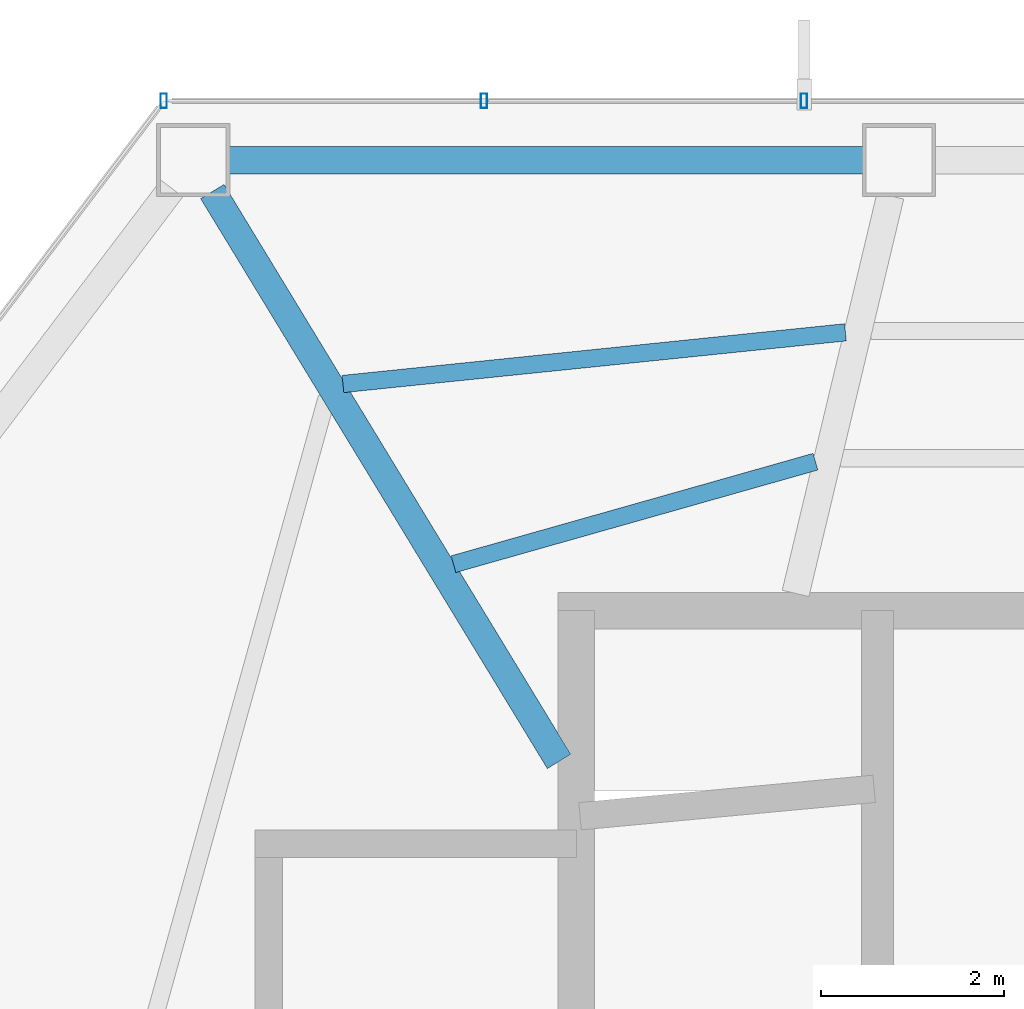
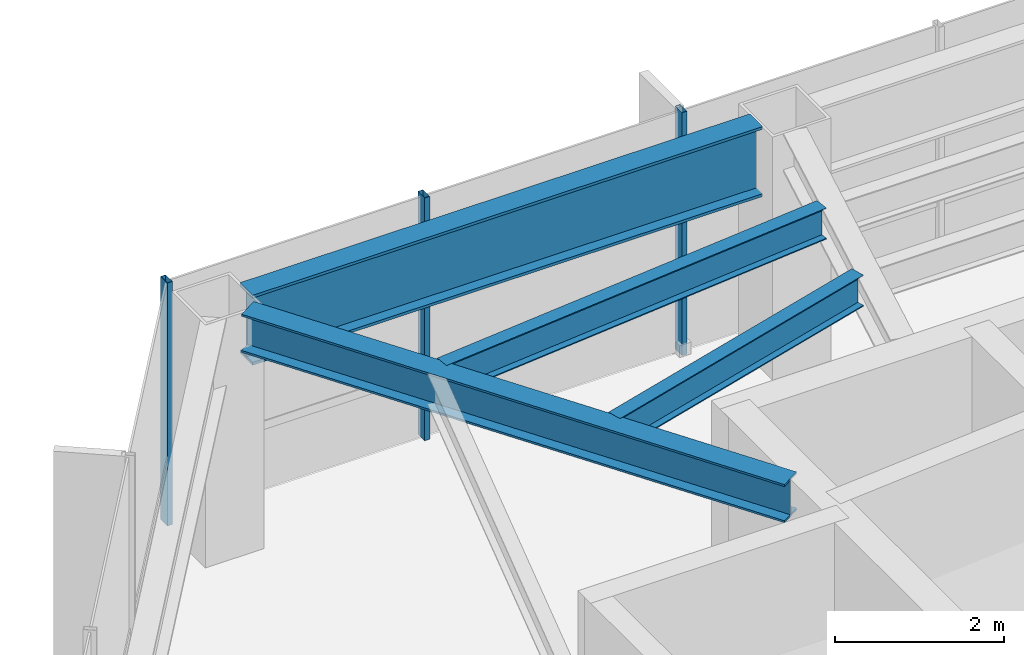
# One storey, part 13 of 28: 4 beams, 3 members, 1 element without a shape of its own.
"""IFC4 building model written with IfcOpenShell, lengths in metres."""

from ifc_helpers import new_model, si_unit, direction, frame, origin, origin_2d, place, context, subcontext, project, spatial, hollow_rectangle, i_section, extrude, material, layer, layer_set, material_profile, profile_set, type_object, element, aggregate, save


model = new_model("IFC4")

# Units and contexts
model_context = context("Model", 3, precision=1e-05, world=origin(), true_north=direction((0.0, 1.0)))
body_context = subcontext(model_context, "Body", "Model", "MODEL_VIEW")
ifc_project = project(units=[si_unit("LENGTHUNIT", "METRE"), si_unit("AREAUNIT", "SQUARE_METRE"), si_unit("VOLUMEUNIT", "CUBIC_METRE"), si_unit("PLANEANGLEUNIT", "RADIAN"), si_unit("MASSUNIT", "GRAM", prefix="KILO")], contexts=[model_context])

# Site, building, storey
site_placement = place(None, origin())
site = spatial("IfcSite", under=ifc_project, at=site_placement, CompositionType="ELEMENT")
building_placement = place(site_placement, origin())
building = spatial("IfcBuilding", under=site, at=building_placement, Name="Zarrinselat Tower", CompositionType="ELEMENT")
storey_placement = place(building_placement, frame((0.0, 0.0, 149.60009765625)))
storey = spatial("IfcBuildingStorey", under=building, at=storey_placement, Name="L36", CompositionType="ELEMENT", Elevation=149.60009765625)

# Beams
ifc_material_1 = material(Name="Steel S355J2", Category="steel")
ifc_material_profile_1 = material_profile(ifc_material_1, i_section(OverallWidth=0.300048828125, OverallDepth=0.550048828125, WebThickness=0.014892578125, FlangeThickness=0.029052734375, at=origin_2d()), Name="HEB 550")
ifc_profile_set_1 = profile_set([ifc_material_profile_1], Name="Steel S355J2")
beam_type_1 = type_object("IfcBeamType", Name="BM-HEB550", PredefinedType="BEAM", material=ifc_profile_set_1)
beam_1_placement = place(storey_placement, frame((24.61376953125, 48.039794921875, 3.224853515625), z_axis=(0.519750753413, -0.85431794686, 0.0), x_axis=(0.85431794686, 0.519750753413, 0.0)))
element("IfcBeam", 1, at=beam_1_placement, inside=storey, type_object=beam_type_1, Name="L36 Radial Primary Girder RG05", PredefinedType="BEAM", context=body_context, shape_type="SweptSolid", body=[
    extrude(i_section(OverallWidth=0.300048828125, OverallDepth=0.550048828125, WebThickness=0.014892578125, FlangeThickness=0.029052734375, at=origin_2d()), origin(), (0.0, 0.0, 1.0), 7.3037109375),
])
ifc_material_2 = material(Name="Steel S460M", Category="steel")
ifc_material_profile_2 = material_profile(ifc_material_2, i_section(OverallWidth=0.302001953125, OverallDepth=1.008056640625, WebThickness=0.02099609375, FlangeThickness=0.0400390625, at=origin_2d()), Name="HEM 1000")
ifc_profile_set_2 = profile_set([ifc_material_profile_2], Name="Steel S460M")
beam_type_2 = type_object("IfcBeamType", Name="BM-HEM1000", PredefinedType="BEAM", material=ifc_profile_set_2)
beam_2_placement = place(storey_placement, frame((24.792724609375, 48.38330078125, 2.995849609375), z_axis=(1.0, 0.0, 0.0), x_axis=(0.0, 1.0, 0.0)))
element("IfcBeam", 2, at=beam_2_placement, inside=storey, type_object=beam_type_2, Name="L36 Perimeter Spandrel Girder SP04", PredefinedType="BEAM", context=body_context, shape_type="SweptSolid", body=[
    extrude(i_section(OverallWidth=0.302001953125, OverallDepth=1.008056640625, WebThickness=0.02099609375, FlangeThickness=0.0400390625, at=origin_2d()), origin(), (0.0, 0.0, 1.0), 6.9501953125),
])
ifc_material_3 = material(Name="Steel S355J2", Category="steel")
ifc_material_profile_3 = material_profile(ifc_material_3, i_section(OverallWidth=0.18994140625, OverallDepth=0.449951171875, WebThickness=0.009521484375, FlangeThickness=0.0146484375, at=origin_2d()), Name="IPE 450")
ifc_profile_set_3 = profile_set([ifc_material_profile_3], Name="Steel S355J2")
beam_type_3 = type_object("IfcBeamType", Name="BM-IPE450", PredefinedType="JOIST", material=ifc_profile_set_3)
beam_3_placement = place(storey_placement, frame((26.043701171875, 45.9326171875, 3.27490234375), z_axis=(0.99475625072, 0.10227414949, 0.0), x_axis=(-0.10227414949, 0.99475625072, 0.0)))
element("IfcBeam", 3, at=beam_3_placement, inside=storey, type_object=beam_type_3, Name="L36 Composite Floor Joist 9-1", PredefinedType="JOIST", context=body_context, shape_type="SweptSolid", body=[
    extrude(i_section(OverallWidth=0.18994140625, OverallDepth=0.449951171875, WebThickness=0.009521484375, FlangeThickness=0.0146484375, at=origin_2d()), origin(), (0.0, 0.0, 1.0), 5.531005859375),
])
beam_4_placement = place(storey_placement, frame((27.25390625, 43.959716796875, 3.27490234375), z_axis=(0.962196376975, 0.272356626752, 0.0), x_axis=(-0.272356626752, 0.962196376975, 0.0)))
element("IfcBeam", 4, at=beam_4_placement, inside=storey, type_object=beam_type_3, Name="L36 Composite Floor Joist 9-2", PredefinedType="JOIST", context=body_context, shape_type="SweptSolid", body=[
    extrude(i_section(OverallWidth=0.18994140625, OverallDepth=0.449951171875, WebThickness=0.009521484375, FlangeThickness=0.0146484375, at=origin_2d()), origin(), (0.0, 0.0, 1.0), 4.119873046875),
])

# Curtain wall, members
ifc_material_4 = material(Name="Extruded Aluminium Alloy EN AW-6063 T6", Category="aluminium")
ifc_layer = layer(ifc_material_4, 0.175048828125)
ifc_layer_set = layer_set([ifc_layer], Name="Extruded Aluminium Alloy EN AW-6063 T6")
curtain_wall_type = type_object("IfcCurtainWallType", Name="CWS-HTL", PredefinedType="NOTDEFINED", material=ifc_layer_set)
curtain_wall_placement = place(storey_placement, origin())
curtain_wall = element("IfcCurtainWall", 5, at=curtain_wall_placement, inside=storey, type_object=curtain_wall_type, Name="L36 Unitised Curtain Wall CW-L36-E01", PredefinedType="NOTDEFINED")
ifc_material_5 = material(Name="Extruded Aluminium Alloy EN AW-6063 T6", Category="aluminium")
ifc_material_profile_4 = material_profile(ifc_material_5, hollow_rectangle(XDim=0.070068359375, YDim=0.159912109375, WallThickness=0.00390625, at=origin_2d()), Name="RHS 160x70x4")
ifc_profile_set_4 = profile_set([ifc_material_profile_4], Name="Extruded Aluminium Alloy EN AW-6063 T6")
member_type = type_object("IfcMemberType", Name="MEM-CW-MUL2", PredefinedType="MULLION", material=ifc_profile_set_4)
member_1_placement = place(storey_placement, frame((31.093017578125, 49.033203125, 0.0), z_axis=(0.0, 0.0, 1.0), x_axis=(-1.0, 0.0, 0.0)))
member_1 = element("IfcMember", 6, at=member_1_placement, type_object=member_type, Name="CW-L36-E01 Mullion 9", PredefinedType="MULLION", context=body_context, shape_type="SweptSolid", body=[
    extrude(hollow_rectangle(XDim=0.070068359375, YDim=0.159912109375, WallThickness=0.00390625, at=origin_2d()), origin(), (0.0, 0.0, 1.0), 3.5),
])
member_2_placement = place(storey_placement, frame((27.58740234375, 49.033203125, 0.0), z_axis=(0.0, 0.0, 1.0), x_axis=(-1.0, 0.0, 0.0)))
member_2 = element("IfcMember", 7, at=member_2_placement, type_object=member_type, Name="CW-L36-E01 Mullion 10", PredefinedType="MULLION", context=body_context, shape_type="SweptSolid", body=[
    extrude(hollow_rectangle(XDim=0.070068359375, YDim=0.159912109375, WallThickness=0.00390625, at=origin_2d()), origin(), (0.0, 0.0, 1.0), 3.5),
])
member_3_placement = place(storey_placement, frame((24.081787109375, 49.033203125, 0.0), z_axis=(0.0, 0.0, 1.0), x_axis=(-1.0, 0.0, 0.0)))
member_3 = element("IfcMember", 8, at=member_3_placement, type_object=member_type, Name="CW-L36-E01 Mullion 11", PredefinedType="MULLION", context=body_context, shape_type="SweptSolid", body=[
    extrude(hollow_rectangle(XDim=0.070068359375, YDim=0.159912109375, WallThickness=0.00390625, at=origin_2d()), origin(), (0.0, 0.0, 1.0), 3.5),
])
aggregate(curtain_wall, [member_1, member_2, member_3])

save(model, "model.ifc")
